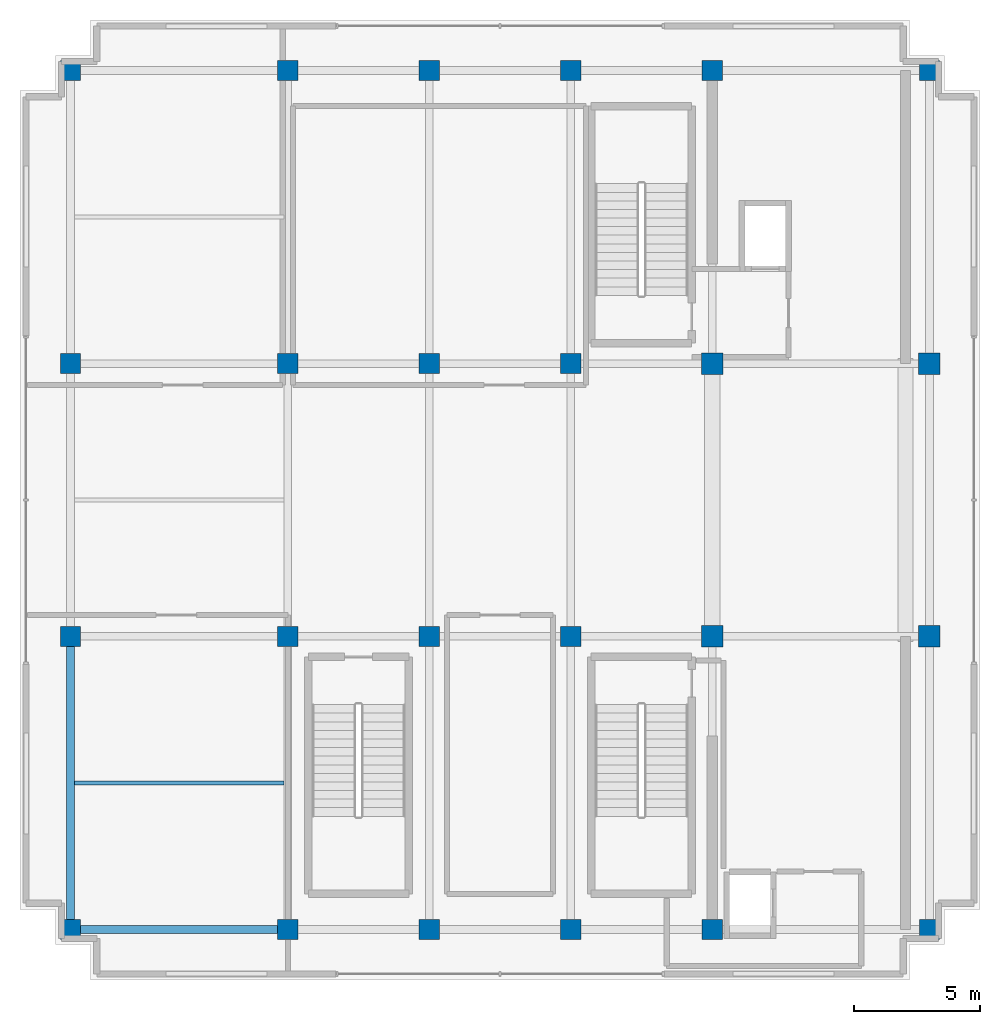
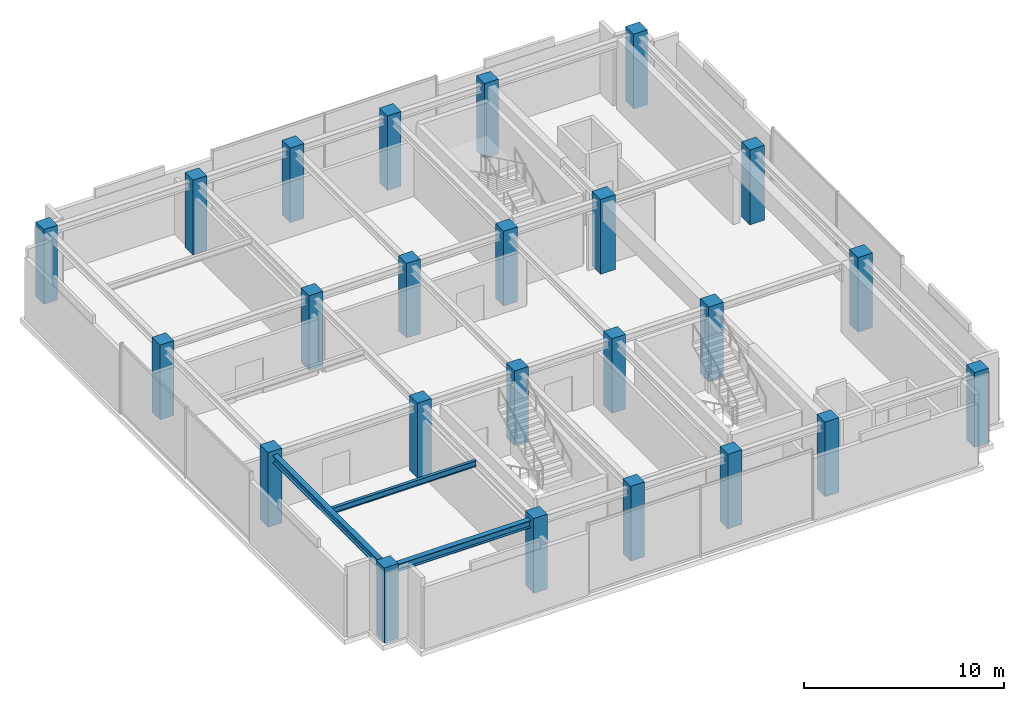
# One storey, part 1 of 18: 24 columns, 3 beams.
"""IFC4 building model written with IfcOpenShell, lengths in metres."""

from ifc_helpers import new_model, si_unit, direction, frame, origin, origin_2d, place, context, subcontext, project, spatial, rectangle, i_section, extrude, source, transform, mapped, material, material_profile, profile_set, type_object, element, save


model = new_model("IFC4")

# Units and contexts
model_context = context("Model", 3, precision=1e-05, world=origin(), true_north=direction((0.0, 1.0)))
body_context = subcontext(model_context, "Body", "Model", "MODEL_VIEW")
ifc_project = project(units=[si_unit("LENGTHUNIT", "METRE"), si_unit("AREAUNIT", "SQUARE_METRE"), si_unit("VOLUMEUNIT", "CUBIC_METRE"), si_unit("PLANEANGLEUNIT", "RADIAN"), si_unit("MASSUNIT", "GRAM", prefix="KILO")], contexts=[model_context])

# Site, building, storey
site_placement = place(None, origin())
site = spatial("IfcSite", under=ifc_project, at=site_placement, CompositionType="ELEMENT")
building_placement = place(site_placement, origin())
building = spatial("IfcBuilding", under=site, at=building_placement, Name="Nahalor Promenade Grand Hotel", CompositionType="ELEMENT")
storey_placement = place(building_placement, frame((0.0, 0.0, 366.25)))
storey = spatial("IfcBuildingStorey", under=building, at=storey_placement, Name="L93", CompositionType="ELEMENT", Elevation=366.25)

# Columns
ifc_material_1 = material(Name="Concrete B-50 (C40/50)", Category="concrete")
ifc_material_profile_1 = material_profile(ifc_material_1, rectangle(XDim=0.8, YDim=0.8, at=origin_2d()), Name="RC 800x800")
ifc_profile_set_1 = profile_set([ifc_material_profile_1], Name="Concrete B-50 (C40/50)")
column_type_1 = type_object("IfcColumnType", Name="Col-RC-800", PredefinedType="COLUMN", material=ifc_profile_set_1)
shared_shape_1 = source(origin(), body_context, "Body", "SweptSolid", [
    extrude(rectangle(XDim=0.8, YDim=0.8, at=origin_2d()), origin(), (0.0, 0.0, 1.0), 4.554931640625),
])
for number, where, z_axis, x_axis, name in (
    (1, (-17.0, -17.0, 0.0), (0.0, 0.0, 1.0), (1.0, 0.0, 0.0), "COL-L93-I00"),
    (2, (-17.0, -5.39990234375, 0.0), (0.0, 0.0, 1.0), (1.0, 0.0, 0.0), "COL-L93-I01"),
    (3, (-17.0, 5.39990234375, 0.0), (0.0, 0.0, 1.0), (1.0, 0.0, 0.0), "COL-L93-I02"),
    (4, (-17.0, 17.0, 0.0), (0.0, 0.0, 1.0), (1.0, 0.0, 0.0), "COL-L93-I03"),
    (5, (-8.39990234375, -17.0, 0.0), (0.0, 0.0, 1.0), (1.0, 0.0, 0.0), "COL-L93-I10"),
    (6, (-8.39990234375, -5.39990234375, 0.0), (0.0, 0.0, 1.0), (1.0, 0.0, 0.0), "COL-L93-I11"),
    (7, (-8.39990234375, 5.39990234375, 0.0), (0.0, 0.0, 1.0), (1.0, 0.0, 0.0), "COL-L93-I12"),
    (8, (-8.39990234375, 17.0, 0.0), (0.0, 0.0, 1.0), (1.0, 0.0, 0.0), "COL-L93-I13"),
    (9, (-2.800048828125, -17.0, 0.0), (0.0, 0.0, 1.0), (1.0, 0.0, 0.0), "COL-L93-I20"),
    (10, (-2.800048828125, -5.39990234375, 0.0), (0.0, 0.0, 1.0), (1.0, 0.0, 0.0), "COL-L93-I21"),
    (11, (-2.800048828125, 5.39990234375, 0.0), (0.0, 0.0, 1.0), (1.0, 0.0, 0.0), "COL-L93-I22"),
    (12, (-2.800048828125, 17.0, 0.0), (0.0, 0.0, 1.0), (1.0, 0.0, 0.0), "COL-L93-I23"),
    (13, (2.800048828125, -17.0, 0.0), (0.0, 0.0, 1.0), (1.0, 0.0, 0.0), "COL-L93-I30"),
    (14, (2.800048828125, -5.39990234375, 0.0), (0.0, 0.0, 1.0), (1.0, 0.0, 0.0), "COL-L93-I31"),
    (15, (2.800048828125, 5.39990234375, 0.0), (0.0, 0.0, 1.0), (1.0, 0.0, 0.0), "COL-L93-I32"),
    (16, (2.800048828125, 17.0, 0.0), (0.0, 0.0, 1.0), (1.0, 0.0, 0.0), "COL-L93-I33"),
    (17, (8.39990234375, -17.0, 0.0), (0.0, 0.0, 1.0), (1.0, 0.0, 0.0), "COL-L93-I40"),
    (18, (8.39990234375, 17.0, 0.0), (0.0, 0.0, 1.0), (1.0, 0.0, 0.0), "COL-L93-I43"),
    (19, (17.0, -17.0, 0.0), (0.0, 0.0, 1.0), (1.0, 0.0, 0.0), "COL-L93-I50"),
    (20, (17.0, 17.0, 0.0), (0.0, 0.0, 1.0), (1.0, 0.0, 0.0), "COL-L93-I53"),
):
    element("IfcColumn", number, at=place(storey_placement, frame(where, z_axis=z_axis, x_axis=x_axis)), inside=storey, type_object=column_type_1, Name=name, PredefinedType="COLUMN", context=body_context, shape_type="MappedRepresentation", body=[
        mapped(shared_shape_1, transform((0.0, 0.0, 0.0), scale=1.0)),
    ])
ifc_material_2 = material(Name="Concrete B-70 (C60/75)", Category="concrete")
ifc_material_profile_2 = material_profile(ifc_material_2, rectangle(XDim=0.85, YDim=0.85, at=origin_2d()), Name="RC 850x850")
ifc_profile_set_2 = profile_set([ifc_material_profile_2], Name="Concrete B-70 (C60/75)")
column_type_2 = type_object("IfcColumnType", Name="Col-Pilaster-850", PredefinedType="PILASTER", material=ifc_profile_set_2)
shared_shape_2 = source(origin(), body_context, "Body", "SweptSolid", [
    extrude(rectangle(XDim=0.85, YDim=0.85, at=origin_2d()), origin(), (0.0, 0.0, 1.0), 4.554931640625),
])
for number, where, z_axis, x_axis, name in (
    (21, (8.39990234375, -5.39990234375, 0.0), (0.0, 0.0, 1.0), (1.0, 0.0, 0.0), "COL-L93-I41"),
    (22, (8.39990234375, 5.39990234375, 0.0), (0.0, 0.0, 1.0), (1.0, 0.0, 0.0), "COL-L93-I42"),
    (23, (17.0, -5.39990234375, 0.0), (0.0, 0.0, 1.0), (1.0, 0.0, 0.0), "COL-L93-I51"),
    (24, (17.0, 5.39990234375, 0.0), (0.0, 0.0, 1.0), (1.0, 0.0, 0.0), "COL-L93-I52"),
):
    element("IfcColumn", number, at=place(storey_placement, frame(where, z_axis=z_axis, x_axis=x_axis)), inside=storey, type_object=column_type_2, Name=name, PredefinedType="PILASTER", context=body_context, shape_type="MappedRepresentation", body=[
        mapped(shared_shape_2, transform((0.0, 0.0, 0.0), scale=1.0)),
    ])

# Beams
ifc_material_3 = material(Name="Steel S355JR", Category="steel")
ifc_material_profile_3 = material_profile(ifc_material_3, i_section(OverallWidth=0.3, OverallDepth=0.45, WebThickness=0.014, FlangeThickness=0.026, at=origin_2d()), Name="HEB 450")
ifc_profile_set_3 = profile_set([ifc_material_profile_3], Name="Steel S355JR")
beam_type_1 = type_object("IfcBeamType", Name="Beam-Girder-HEB450", PredefinedType="BEAM", material=ifc_profile_set_3)
shared_shape_3 = source(origin(), body_context, "Body", "SweptSolid", [
    extrude(i_section(OverallWidth=0.3, OverallDepth=0.45, WebThickness=0.014, FlangeThickness=0.026, at=origin_2d()), origin(), (0.0, 0.0, 1.0), 8.60009765625),
])
beam_1_placement = place(storey_placement, frame((-17.0, -17.0, 4.074951171875), z_axis=(1.0, 0.0, 0.0), x_axis=(0.0, 1.0, 0.0)))
element("IfcBeam", 25, at=beam_1_placement, inside=storey, type_object=beam_type_1, Name="BM-L93-GX-0-0", PredefinedType="BEAM", context=body_context, shape_type="MappedRepresentation", body=[
    mapped(shared_shape_3, transform((0.0, 0.0, 0.0), scale=1.0)),
])
shared_shape_4 = source(origin(), body_context, "Body", "SweptSolid", [
    extrude(i_section(OverallWidth=0.3, OverallDepth=0.45, WebThickness=0.014, FlangeThickness=0.026, at=origin_2d()), origin(), (0.0, 0.0, 1.0), 11.60009765625),
])
beam_2_placement = place(storey_placement, frame((-17.0, -17.0, 4.074951171875), z_axis=(0.0, 1.0, 0.0), x_axis=(-1.0, 0.0, 0.0)))
element("IfcBeam", 26, at=beam_2_placement, inside=storey, type_object=beam_type_1, Name="BM-L93-GY-0-0", PredefinedType="BEAM", context=body_context, shape_type="MappedRepresentation", body=[
    mapped(shared_shape_4, transform((0.0, 0.0, 0.0), scale=1.0)),
])
ifc_material_profile_4 = material_profile(ifc_material_3, i_section(OverallWidth=0.17, OverallDepth=0.36, WebThickness=0.008, FlangeThickness=0.0127, at=origin_2d()), Name="IPE 360")
ifc_profile_set_4 = profile_set([ifc_material_profile_4], Name="Steel S355JR")
beam_type_2 = type_object("IfcBeamType", Name="Beam-Joist-IPE360", PredefinedType="JOIST", material=ifc_profile_set_4)
shared_shape_5 = source(origin(), body_context, "Body", "SweptSolid", [
    extrude(i_section(OverallWidth=0.17, OverallDepth=0.36, WebThickness=0.008, FlangeThickness=0.0127, at=origin_2d()), origin(), (0.0, 0.0, 1.0), 8.300048828125),
])
beam_3_placement = place(storey_placement, frame((-16.85009765625, -11.199951171875, 4.1201171875), z_axis=(1.0, 0.0, 0.0), x_axis=(0.0, 1.0, 0.0)))
element("IfcBeam", 27, at=beam_3_placement, inside=storey, type_object=beam_type_2, Name="BM-L93-JSW-0-1", PredefinedType="JOIST", context=body_context, shape_type="MappedRepresentation", body=[
    mapped(shared_shape_5, transform((0.0, 0.0, 0.0), scale=1.0)),
])

save(model, "model.ifc")
